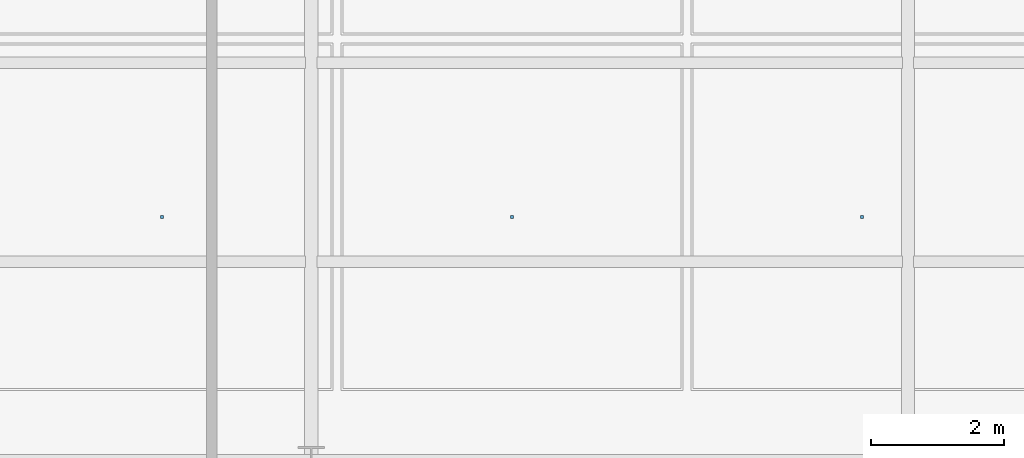
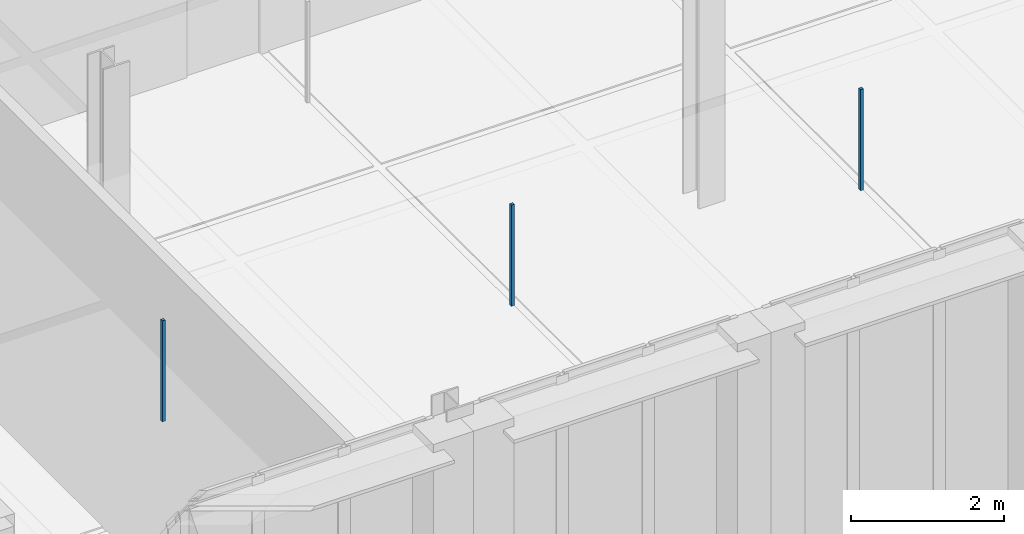
# One storey, part 154 of 180: 3 discrete accessories.
"""IFC4 building model written with IfcOpenShell, lengths in metres."""

from ifc_helpers import new_model, si_unit, direction, frame, origin, origin_2d, place, context, subcontext, project, spatial, rectangle, extrude, material, type_object, element, save


model = new_model("IFC4")

# Units and contexts
model_context = context("Model", 3, precision=1e-05, world=origin(), true_north=direction((0.0, 1.0)))
body_context = subcontext(model_context, "Body", "Model", "MODEL_VIEW")
ifc_project = project(units=[si_unit("LENGTHUNIT", "METRE"), si_unit("AREAUNIT", "SQUARE_METRE"), si_unit("VOLUMEUNIT", "CUBIC_METRE"), si_unit("PLANEANGLEUNIT", "RADIAN"), si_unit("MASSUNIT", "GRAM", prefix="KILO"), si_unit("THERMODYNAMICTEMPERATUREUNIT", "KELVIN"), si_unit("POWERUNIT", "WATT")], contexts=[model_context])

# Site, building, storey
site_placement = place(None, origin())
site = spatial("IfcSite", under=ifc_project, at=site_placement, CompositionType="ELEMENT")
building_placement = place(site_placement, origin())
building = spatial("IfcBuilding", under=site, at=building_placement, Name="Tallowbark Science Centre", CompositionType="ELEMENT")
storey_placement = place(building_placement, origin())
storey = spatial("IfcBuildingStorey", under=building, at=storey_placement, Name="L00", CompositionType="ELEMENT", Elevation=0.0)

# Discrete accessories
ifc_material = material(Name="Galvanised Steel Grade C350L0 (350 MPa)", Category="steel")
discrete_accessory_type = type_object("IfcDiscreteAccessoryType", Name="ACC-CLG-HNG", PredefinedType="BRACKET", material=ifc_material)
for number, where, z_axis, x_axis, name in (
    (1, (137.25, 75.6787109375, 3.60595703125), (0.0, 0.0, 1.0), (1.0, 0.0, 0.0), "Ceiling Hanger Bracket L00-434"),
    (2, (142.52783203125, 75.6787109375, 3.60595703125), (0.0, 0.0, 1.0), (1.0, 0.0, 0.0), "Ceiling Hanger Bracket L00-439"),
    (3, (147.8056640625, 75.6787109375, 3.60595703125), (0.0, 0.0, 1.0), (1.0, 0.0, 0.0), "Ceiling Hanger Bracket L00-444"),
):
    element("IfcDiscreteAccessory", number, at=place(storey_placement, frame(where, z_axis=z_axis, x_axis=x_axis)), inside=storey, type_object=discrete_accessory_type, Name=name, PredefinedType="BRACKET", context=body_context, shape_type="SweptSolid", body=[
        extrude(rectangle(XDim=0.044921875, YDim=0.044921875, at=origin_2d()), origin(), (0.0, 0.0, 1.0), 1.616943359375),
    ])

save(model, "model.ifc")
